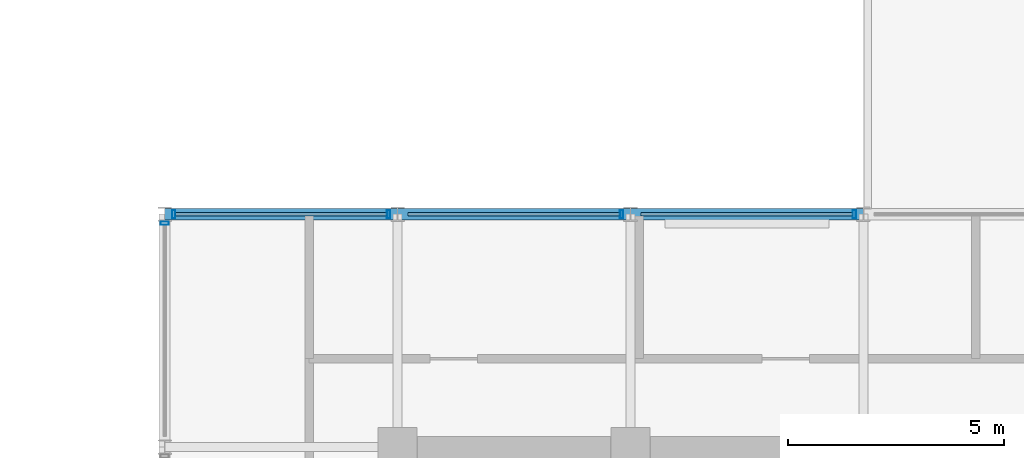
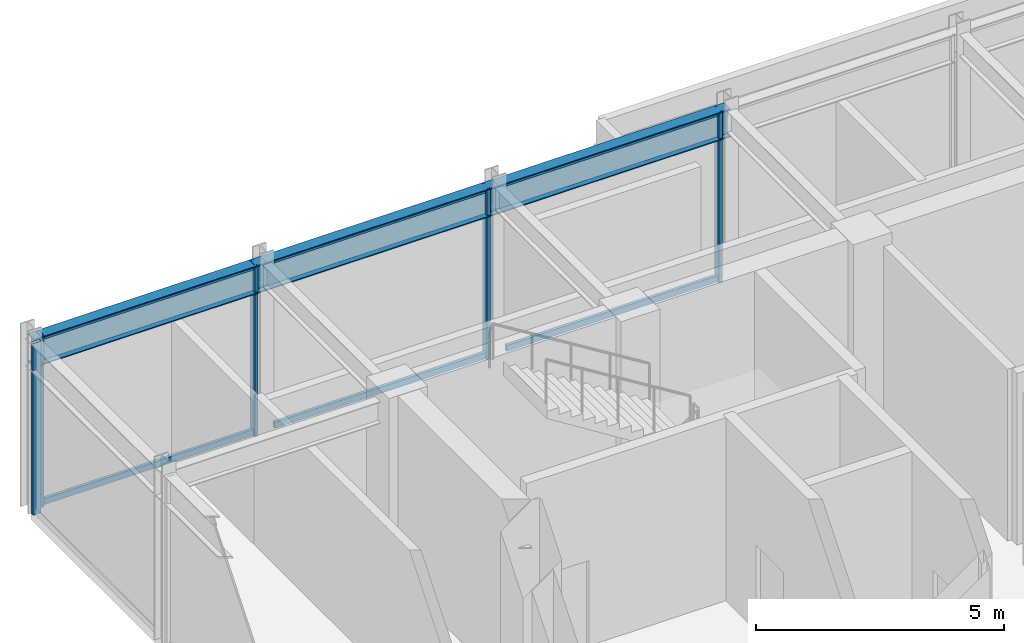
# One storey, part 11 of 18: 11 members, 3 beams, 2 elements without a shape of their own.
"""IFC4 building model written with IfcOpenShell, lengths in metres."""

from ifc_helpers import new_model, si_unit, direction, frame, origin, origin_2d, place, context, subcontext, project, spatial, hollow_rectangle, i_section, extrude, material, layer, layer_set, material_profile, profile_set, type_object, element, aggregate, save


model = new_model("IFC4")

# Units and contexts
model_context = context("Model", 3, precision=1e-05, world=origin(), true_north=direction((0.0, 1.0)))
body_context = subcontext(model_context, "Body", "Model", "MODEL_VIEW")
ifc_project = project(units=[si_unit("LENGTHUNIT", "METRE"), si_unit("AREAUNIT", "SQUARE_METRE"), si_unit("VOLUMEUNIT", "CUBIC_METRE"), si_unit("PLANEANGLEUNIT", "RADIAN"), si_unit("MASSUNIT", "GRAM", prefix="KILO")], contexts=[model_context])

# Site, building, storey
site_placement = place(None, origin())
site = spatial("IfcSite", under=ifc_project, at=site_placement, CompositionType="ELEMENT")
building_placement = place(site_placement, origin())
building = spatial("IfcBuilding", under=site, at=building_placement, Name="Surkhivell Harbour Commons", CompositionType="ELEMENT")
storey_placement = place(building_placement, frame((0.0, 0.0, 355.5)))
storey = spatial("IfcBuildingStorey", under=building, at=storey_placement, Name="L92", CompositionType="ELEMENT", Elevation=355.5)

# Beams
ifc_material_1 = material(Name="Steel S355", Category="steel")
ifc_material_profile_1 = material_profile(ifc_material_1, i_section(OverallWidth=0.256103515625, OverallDepth=0.693115234375, WebThickness=0.014404296875, FlangeThickness=0.023681640625, at=origin_2d()), Name="UB686x254x170")
ifc_profile_set_1 = profile_set([ifc_material_profile_1], Name="Steel S355")
beam_type = type_object("IfcBeamType", Name="BM-SPN-686", PredefinedType="SPANDREL", material=ifc_profile_set_1)
beam_1_placement = place(storey_placement, frame((-16.199951171875, 16.199951171875, 3.87353515625), z_axis=(1.0, 0.0, 0.0), x_axis=(0.0, 1.0, 0.0)))
element("IfcBeam", 1, at=beam_1_placement, inside=storey, type_object=beam_type, Name="L92 Tube Spandrel (-16.2,16.2)", PredefinedType="SPANDREL", context=body_context, shape_type="SweptSolid", body=[
    extrude(i_section(OverallWidth=0.256103515625, OverallDepth=0.693115234375, WebThickness=0.014404296875, FlangeThickness=0.023681640625, at=origin_2d()), origin(), (0.0, 0.0, 1.0), 5.39990234375),
])
beam_2_placement = place(storey_placement, frame((-10.800048828125, 16.199951171875, 3.87353515625), z_axis=(1.0, 0.0, 0.0), x_axis=(0.0, 1.0, 0.0)))
element("IfcBeam", 2, at=beam_2_placement, inside=storey, type_object=beam_type, Name="L92 Tube Spandrel (-10.8,16.2)", PredefinedType="SPANDREL", context=body_context, shape_type="SweptSolid", body=[
    extrude(i_section(OverallWidth=0.256103515625, OverallDepth=0.693115234375, WebThickness=0.014404296875, FlangeThickness=0.023681640625, at=origin_2d()), origin(), (0.0, 0.0, 1.0), 5.400146484375),
])
beam_3_placement = place(storey_placement, frame((-5.39990234375, 16.199951171875, 3.87353515625), z_axis=(1.0, 0.0, 0.0), x_axis=(0.0, 1.0, 0.0)))
element("IfcBeam", 3, at=beam_3_placement, inside=storey, type_object=beam_type, Name="L92 Tube Spandrel (-5.4,16.2)", PredefinedType="SPANDREL", context=body_context, shape_type="SweptSolid", body=[
    extrude(i_section(OverallWidth=0.256103515625, OverallDepth=0.693115234375, WebThickness=0.014404296875, FlangeThickness=0.023681640625, at=origin_2d()), origin(), (0.0, 0.0, 1.0), 5.39990234375),
])

# Curtain wall, members
ifc_material_2 = material(Name="Anodised pale-metal aluminium and insulated glazing", Category="aluminium")
ifc_layer = layer(ifc_material_2, 0.22998046875)
ifc_layer_set = layer_set([ifc_layer], Name="Anodised pale-metal aluminium and insulated glazing")
curtain_wall_type = type_object("IfcCurtainWallType", Name="CW-SYS-CRN", PredefinedType="NOTDEFINED", material=ifc_layer_set)
curtain_wall_1_placement = place(storey_placement, origin())
curtain_wall_1 = element("IfcCurtainWall", 4, at=curtain_wall_1_placement, inside=storey, type_object=curtain_wall_type, Name="L92 Curtain Wall CW-L92-C02", PredefinedType="NOTDEFINED")
ifc_material_3 = material(Name="Anodised pale-metal aluminium alloy 6063-T6", Category="aluminium")
ifc_material_profile_2 = material_profile(ifc_material_3, hollow_rectangle(XDim=0.074951171875, YDim=0.18994140625, WallThickness=0.00390625, at=origin_2d()), Name="ALU-MULL-75x190")
ifc_profile_set_2 = profile_set([ifc_material_profile_2], Name="Anodised pale-metal aluminium alloy 6063-T6")
member_type_1 = type_object("IfcMemberType", Name="CWM-190", PredefinedType="MULLION", material=ifc_profile_set_2)
member_1_placement = place(storey_placement, frame((-0.20947265625, 16.199951171875, 0.0), z_axis=(0.0, 0.0, 1.0), x_axis=(-1.0, 0.0, 0.0)))
member_1 = element("IfcMember", 5, at=member_1_placement, type_object=member_type_1, Name="CW-CRN mullion 3", PredefinedType="MULLION", context=body_context, shape_type="SweptSolid", body=[
    extrude(hollow_rectangle(XDim=0.074951171875, YDim=0.18994140625, WallThickness=0.00390625, at=origin_2d()), origin(), (0.0, 0.0, 1.0), 4.219970703125),
])
member_2_placement = place(storey_placement, frame((-5.609619140625, 16.199951171875, 0.0), z_axis=(0.0, 0.0, 1.0), x_axis=(-1.0, 0.0, 0.0)))
member_2 = element("IfcMember", 6, at=member_2_placement, type_object=member_type_1, Name="CW-CRN mullion 4", PredefinedType="MULLION", context=body_context, shape_type="SweptSolid", body=[
    extrude(hollow_rectangle(XDim=0.074951171875, YDim=0.18994140625, WallThickness=0.00390625, at=origin_2d()), origin(), (0.0, 0.0, 1.0), 4.219970703125),
])
member_3_placement = place(storey_placement, frame((-11.009521484375, 16.199951171875, 0.0), z_axis=(0.0, 0.0, 1.0), x_axis=(-1.0, 0.0, 0.0)))
member_3 = element("IfcMember", 7, at=member_3_placement, type_object=member_type_1, Name="CW-CRN mullion 5", PredefinedType="MULLION", context=body_context, shape_type="SweptSolid", body=[
    extrude(hollow_rectangle(XDim=0.074951171875, YDim=0.18994140625, WallThickness=0.00390625, at=origin_2d()), origin(), (0.0, 0.0, 1.0), 4.219970703125),
])
member_4_placement = place(storey_placement, frame((-15.990478515625, 16.199951171875, 0.0), z_axis=(0.0, 0.0, 1.0), x_axis=(-1.0, 0.0, 0.0)))
member_4 = element("IfcMember", 8, at=member_4_placement, type_object=member_type_1, Name="CW-CRN mullion 6", PredefinedType="MULLION", context=body_context, shape_type="SweptSolid", body=[
    extrude(hollow_rectangle(XDim=0.074951171875, YDim=0.18994140625, WallThickness=0.00390625, at=origin_2d()), origin(), (0.0, 0.0, 1.0), 4.219970703125),
])

# Curtain wall, member
curtain_wall_2_placement = place(storey_placement, origin())
curtain_wall_2 = element("IfcCurtainWall", 9, at=curtain_wall_2_placement, inside=storey, type_object=curtain_wall_type, Name="L92 Curtain Wall CW-L92-C03S2", PredefinedType="NOTDEFINED")
member_5_placement = place(storey_placement, frame((-16.199951171875, 15.990478515625, 0.0), z_axis=(0.0, 0.0, 1.0), x_axis=(0.0, -1.0, 0.0)))
member_5 = element("IfcMember", 10, at=member_5_placement, type_object=member_type_1, Name="CW-CRN mullion 1", PredefinedType="MULLION", context=body_context, shape_type="SweptSolid", body=[
    extrude(hollow_rectangle(XDim=0.074951171875, YDim=0.18994140625, WallThickness=0.00390625, at=origin_2d()), origin(), (0.0, 0.0, 1.0), 4.219970703125),
])
aggregate(curtain_wall_2, [member_5])

# Member
ifc_material_profile_3 = material_profile(ifc_material_3, hollow_rectangle(XDim=0.074951171875, YDim=0.14990234375, WallThickness=0.00341796875, at=origin_2d()), Name="ALU-TRAN-75x150")
ifc_profile_set_3 = profile_set([ifc_material_profile_3], Name="Anodised pale-metal aluminium alloy 6063-T6")
member_type_2 = type_object("IfcMemberType", Name="CWT-150", PredefinedType="USERDEFINED", material=ifc_profile_set_3)
member_6_placement = place(storey_placement, frame((-0.2470703125, 16.199951171875, 0.074951171875), z_axis=(-1.0, 0.0, 0.0), x_axis=(0.0, -1.0, 0.0)))
member_6 = element("IfcMember", 11, at=member_6_placement, type_object=member_type_2, Name="CW-CRN transom 3.1", ObjectType="TRANSOM", PredefinedType="USERDEFINED", context=body_context, shape_type="SweptSolid", body=[
    extrude(hollow_rectangle(XDim=0.074951171875, YDim=0.14990234375, WallThickness=0.00341796875, at=origin_2d()), origin(), (0.0, 0.0, 1.0), 4.906005859375),
])

member_7_placement = place(storey_placement, frame((-0.2470703125, 16.199951171875, 4.14501953125), z_axis=(-1.0, 0.0, 0.0), x_axis=(0.0, -1.0, 0.0)))
member_7 = element("IfcMember", 12, at=member_7_placement, type_object=member_type_2, Name="CW-CRN transom 3.2", ObjectType="TRANSOM", PredefinedType="USERDEFINED", context=body_context, shape_type="SweptSolid", body=[
    extrude(hollow_rectangle(XDim=0.074951171875, YDim=0.14990234375, WallThickness=0.00341796875, at=origin_2d()), origin(), (0.0, 0.0, 1.0), 4.906005859375),
])

member_8_placement = place(storey_placement, frame((-5.64697265625, 16.199951171875, 0.074951171875), z_axis=(-1.0, 0.0, 0.0), x_axis=(0.0, -1.0, 0.0)))
member_8 = element("IfcMember", 13, at=member_8_placement, type_object=member_type_2, Name="CW-CRN transom 4.1", ObjectType="TRANSOM", PredefinedType="USERDEFINED", context=body_context, shape_type="SweptSolid", body=[
    extrude(hollow_rectangle(XDim=0.074951171875, YDim=0.14990234375, WallThickness=0.00341796875, at=origin_2d()), origin(), (0.0, 0.0, 1.0), 4.906005859375),
])

member_9_placement = place(storey_placement, frame((-5.64697265625, 16.199951171875, 4.14501953125), z_axis=(-1.0, 0.0, 0.0), x_axis=(0.0, -1.0, 0.0)))
member_9 = element("IfcMember", 14, at=member_9_placement, type_object=member_type_2, Name="CW-CRN transom 4.2", ObjectType="TRANSOM", PredefinedType="USERDEFINED", context=body_context, shape_type="SweptSolid", body=[
    extrude(hollow_rectangle(XDim=0.074951171875, YDim=0.14990234375, WallThickness=0.00341796875, at=origin_2d()), origin(), (0.0, 0.0, 1.0), 4.906005859375),
])

member_10_placement = place(storey_placement, frame((-11.047119140625, 16.199951171875, 0.074951171875), z_axis=(-1.0, 0.0, 0.0), x_axis=(0.0, -1.0, 0.0)))
member_10 = element("IfcMember", 15, at=member_10_placement, type_object=member_type_2, Name="CW-CRN transom 5.1", ObjectType="TRANSOM", PredefinedType="USERDEFINED", context=body_context, shape_type="SweptSolid", body=[
    extrude(hollow_rectangle(XDim=0.074951171875, YDim=0.14990234375, WallThickness=0.00341796875, at=origin_2d()), origin(), (0.0, 0.0, 1.0), 4.90576171875),
])

member_11_placement = place(storey_placement, frame((-11.047119140625, 16.199951171875, 4.14501953125), z_axis=(-1.0, 0.0, 0.0), x_axis=(0.0, -1.0, 0.0)))
member_11 = element("IfcMember", 16, at=member_11_placement, type_object=member_type_2, Name="CW-CRN transom 5.2", ObjectType="TRANSOM", PredefinedType="USERDEFINED", context=body_context, shape_type="SweptSolid", body=[
    extrude(hollow_rectangle(XDim=0.074951171875, YDim=0.14990234375, WallThickness=0.00341796875, at=origin_2d()), origin(), (0.0, 0.0, 1.0), 4.90576171875),
])

aggregate(curtain_wall_1, [member_1, member_6, member_7, member_2, member_8, member_9, member_3, member_4, member_10, member_11])

save(model, "model.ifc")
